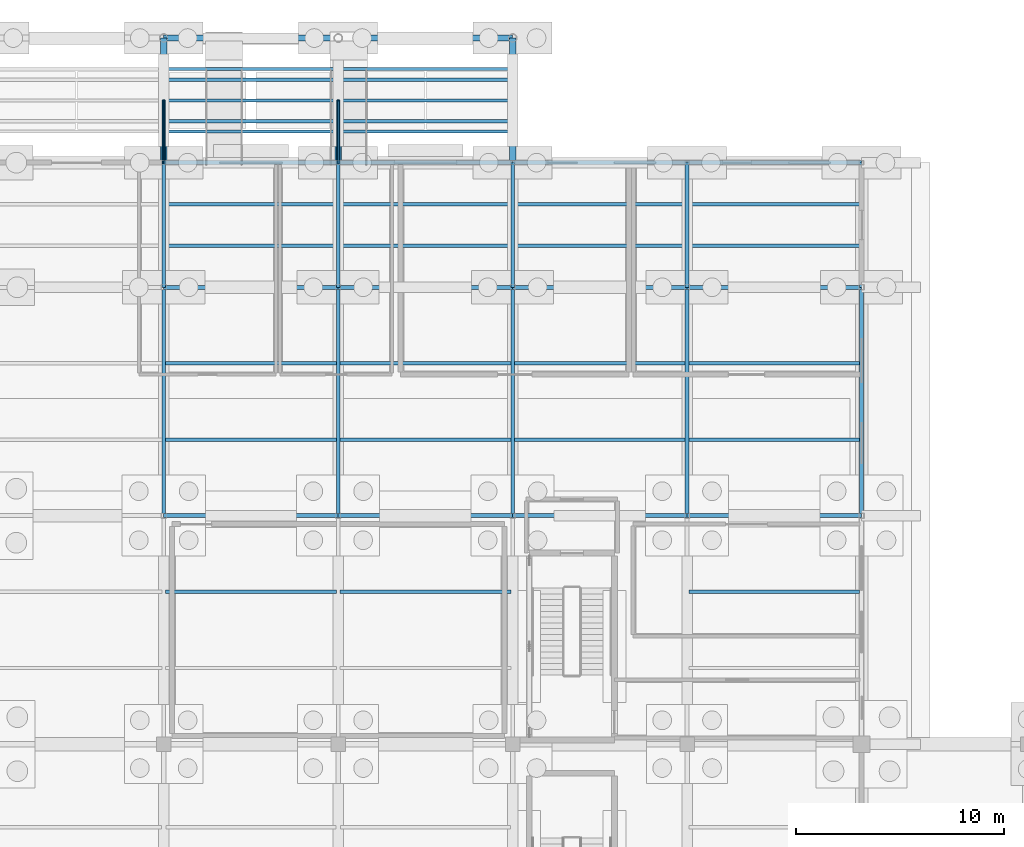
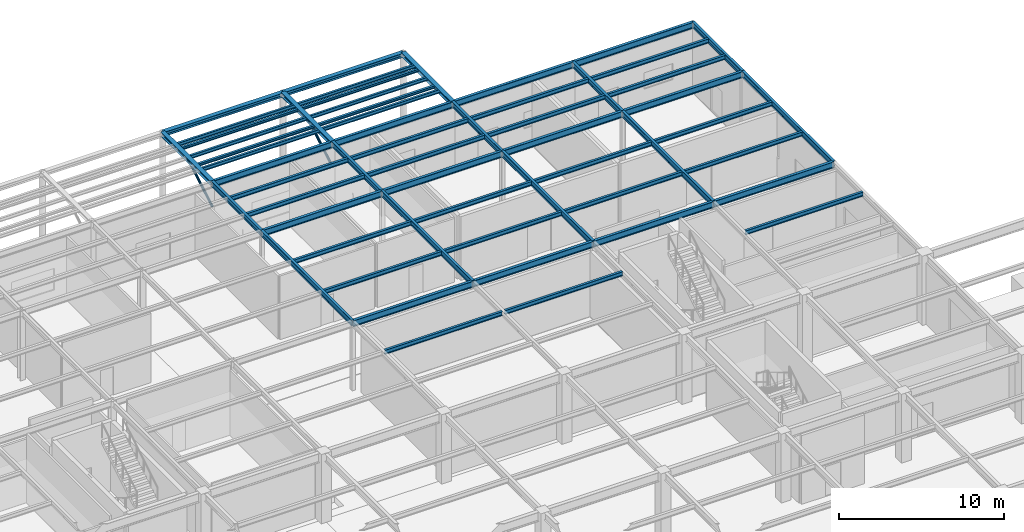
# One storey, part 70 of 129: 50 beams, 8 members.
"""IFC4 building model written with IfcOpenShell, lengths in metres."""

from ifc_helpers import new_model, si_unit, direction, frame, origin, origin_2d, place, context, subcontext, project, spatial, hollow_circle, i_section, extrude, material, material_profile, profile_set, type_object, element, save


model = new_model("IFC4")

# Units and contexts
model_context = context("Model", 3, precision=1e-05, world=origin(), true_north=direction((0.0, 1.0)))
body_context = subcontext(model_context, "Body", "Model", "MODEL_VIEW")
ifc_project = project(units=[si_unit("LENGTHUNIT", "METRE"), si_unit("AREAUNIT", "SQUARE_METRE"), si_unit("VOLUMEUNIT", "CUBIC_METRE"), si_unit("PLANEANGLEUNIT", "RADIAN"), si_unit("MASSUNIT", "GRAM", prefix="KILO")], contexts=[model_context])

# Site, building, storey
site_placement = place(None, origin())
site = spatial("IfcSite", under=ifc_project, at=site_placement, CompositionType="ELEMENT")
building_placement = place(site_placement, origin())
building = spatial("IfcBuilding", under=site, at=building_placement, Name="Sitalva Quay Ferry Terminal", CompositionType="ELEMENT")
storey_placement = place(building_placement, origin())
storey = spatial("IfcBuildingStorey", under=building, at=storey_placement, Name="L01", CompositionType="ELEMENT", Elevation=0.0)

# Beams
ifc_material_1 = material(Name="Structural Steel S355JR", Category="steel")
ifc_material_profile_1 = material_profile(ifc_material_1, i_section(OverallWidth=0.305908203125, OverallDepth=0.31103515625, WebThickness=0.010986328125, FlangeThickness=0.01708984375, FilletRadius=0.014892578125, at=origin_2d()), Name="W310x107")
ifc_profile_set_1 = profile_set([ifc_material_profile_1], Name="Structural Steel S355JR")
beam_type_1 = type_object("IfcBeamType", Name="Beam_W310x107", PredefinedType="BEAM", material=ifc_profile_set_1)
beam_1_placement = place(storey_placement, frame((134.39990234375, 112.0, 4.964599609375), z_axis=(1.0, 0.0, 0.0), x_axis=(0.0, 1.0, 0.0)))
element("IfcBeam", 1, at=beam_1_placement, inside=storey, type_object=beam_type_1, Name="L01 Primary X girder 0681", PredefinedType="BEAM", context=body_context, shape_type="SweptSolid", body=[
    extrude(i_section(OverallWidth=0.305908203125, OverallDepth=0.31103515625, WebThickness=0.010986328125, FlangeThickness=0.01708984375, FilletRadius=0.014892578125, at=origin_2d()), origin(), (0.0, 0.0, 1.0), 8.400146484375),
])
beam_2_placement = place(storey_placement, frame((142.800048828125, 112.0, 4.964599609375), z_axis=(1.0, 0.0, 0.0), x_axis=(0.0, 1.0, 0.0)))
element("IfcBeam", 2, at=beam_2_placement, inside=storey, type_object=beam_type_1, Name="L01 Primary X girder 0682", PredefinedType="BEAM", context=body_context, shape_type="SweptSolid", body=[
    extrude(i_section(OverallWidth=0.305908203125, OverallDepth=0.31103515625, WebThickness=0.010986328125, FlangeThickness=0.01708984375, FilletRadius=0.014892578125, at=origin_2d()), origin(), (0.0, 0.0, 1.0), 8.39990234375),
])
for number, where, z_axis, x_axis, name in (
    (3, (134.39990234375, 106.0, 4.964599609375), (0.0, 1.0, 0.0), (-1.0, 0.0, 0.0), "L01 Primary Y girder 0684"),
    (4, (142.800048828125, 106.0, 4.964599609375), (0.0, 1.0, 0.0), (-1.0, 0.0, 0.0), "L01 Primary Y girder 0685"),
    (5, (151.199951171875, 106.0, 4.964599609375), (0.0, 1.0, 0.0), (-1.0, 0.0, 0.0), "L01 Primary Y girder 0686"),
):
    element("IfcBeam", number, at=place(storey_placement, frame(where, z_axis=z_axis, x_axis=x_axis)), inside=storey, type_object=beam_type_1, Name=name, PredefinedType="BEAM", context=body_context, shape_type="SweptSolid", body=[
        extrude(i_section(OverallWidth=0.305908203125, OverallDepth=0.31103515625, WebThickness=0.010986328125, FlangeThickness=0.01708984375, FilletRadius=0.014892578125, at=origin_2d()), origin(), (0.0, 0.0, 1.0), 6.0),
    ])
ifc_material_2 = material(Name="Structural Steel S355JR", Category="steel")
ifc_material_profile_2 = material_profile(ifc_material_2, i_section(OverallWidth=0.180908203125, OverallDepth=0.4169921875, WebThickness=0.010986328125, FlangeThickness=0.018310546875, FilletRadius=0.012939453125, at=origin_2d()), Name="W410x85")
ifc_profile_set_2 = profile_set([ifc_material_profile_2], Name="Structural Steel S355JR")
beam_type_2 = type_object("IfcBeamType", Name="Beam_W410x85", PredefinedType="BEAM", material=ifc_profile_set_2)
beam_3_placement = place(storey_placement, frame((134.39990234375, 89.0, 4.91162109375), z_axis=(0.0, 1.0, 0.0), x_axis=(-1.0, 0.0, 0.0)))
element("IfcBeam", 6, at=beam_3_placement, inside=storey, type_object=beam_type_2, Name="L01 Primary Y girder 0546", PredefinedType="BEAM", context=body_context, shape_type="SweptSolid", body=[
    extrude(i_section(OverallWidth=0.180908203125, OverallDepth=0.4169921875, WebThickness=0.010986328125, FlangeThickness=0.018310546875, FilletRadius=0.012939453125, at=origin_2d()), origin(), (0.0, 0.0, 1.0), 11.0),
])
beam_4_placement = place(storey_placement, frame((134.39990234375, 100.0, 4.91162109375), z_axis=(0.0, 1.0, 0.0), x_axis=(-1.0, 0.0, 0.0)))
element("IfcBeam", 7, at=beam_4_placement, inside=storey, type_object=beam_type_2, Name="L01 Primary Y girder 0547", PredefinedType="BEAM", context=body_context, shape_type="SweptSolid", body=[
    extrude(i_section(OverallWidth=0.180908203125, OverallDepth=0.4169921875, WebThickness=0.010986328125, FlangeThickness=0.018310546875, FilletRadius=0.012939453125, at=origin_2d()), origin(), (0.0, 0.0, 1.0), 6.0),
])
beam_5_placement = place(storey_placement, frame((142.800048828125, 89.0, 4.91162109375), z_axis=(0.0, 1.0, 0.0), x_axis=(-1.0, 0.0, 0.0)))
element("IfcBeam", 8, at=beam_5_placement, inside=storey, type_object=beam_type_2, Name="L01 Primary Y girder 0549", PredefinedType="BEAM", context=body_context, shape_type="SweptSolid", body=[
    extrude(i_section(OverallWidth=0.180908203125, OverallDepth=0.4169921875, WebThickness=0.010986328125, FlangeThickness=0.018310546875, FilletRadius=0.012939453125, at=origin_2d()), origin(), (0.0, 0.0, 1.0), 11.0),
])
beam_6_placement = place(storey_placement, frame((142.800048828125, 100.0, 4.91162109375), z_axis=(0.0, 1.0, 0.0), x_axis=(-1.0, 0.0, 0.0)))
element("IfcBeam", 9, at=beam_6_placement, inside=storey, type_object=beam_type_2, Name="L01 Primary Y girder 0550", PredefinedType="BEAM", context=body_context, shape_type="SweptSolid", body=[
    extrude(i_section(OverallWidth=0.180908203125, OverallDepth=0.4169921875, WebThickness=0.010986328125, FlangeThickness=0.018310546875, FilletRadius=0.012939453125, at=origin_2d()), origin(), (0.0, 0.0, 1.0), 6.0),
])
beam_7_placement = place(storey_placement, frame((151.199951171875, 89.0, 4.91162109375), z_axis=(0.0, 1.0, 0.0), x_axis=(-1.0, 0.0, 0.0)))
element("IfcBeam", 10, at=beam_7_placement, inside=storey, type_object=beam_type_2, Name="L01 Primary Y girder 0552", PredefinedType="BEAM", context=body_context, shape_type="SweptSolid", body=[
    extrude(i_section(OverallWidth=0.180908203125, OverallDepth=0.4169921875, WebThickness=0.010986328125, FlangeThickness=0.018310546875, FilletRadius=0.012939453125, at=origin_2d()), origin(), (0.0, 0.0, 1.0), 11.0),
])
beam_8_placement = place(storey_placement, frame((151.199951171875, 100.0, 4.91162109375), z_axis=(0.0, 1.0, 0.0), x_axis=(-1.0, 0.0, 0.0)))
element("IfcBeam", 11, at=beam_8_placement, inside=storey, type_object=beam_type_2, Name="L01 Primary Y girder 0553", PredefinedType="BEAM", context=body_context, shape_type="SweptSolid", body=[
    extrude(i_section(OverallWidth=0.180908203125, OverallDepth=0.4169921875, WebThickness=0.010986328125, FlangeThickness=0.018310546875, FilletRadius=0.012939453125, at=origin_2d()), origin(), (0.0, 0.0, 1.0), 6.0),
])
beam_9_placement = place(storey_placement, frame((159.60009765625, 89.0, 4.91162109375), z_axis=(0.0, 1.0, 0.0), x_axis=(-1.0, 0.0, 0.0)))
element("IfcBeam", 12, at=beam_9_placement, inside=storey, type_object=beam_type_2, Name="L01 Primary Y girder 0555", PredefinedType="BEAM", context=body_context, shape_type="SweptSolid", body=[
    extrude(i_section(OverallWidth=0.180908203125, OverallDepth=0.4169921875, WebThickness=0.010986328125, FlangeThickness=0.018310546875, FilletRadius=0.012939453125, at=origin_2d()), origin(), (0.0, 0.0, 1.0), 11.0),
])
beam_10_placement = place(storey_placement, frame((159.60009765625, 100.0, 4.91162109375), z_axis=(0.0, 1.0, 0.0), x_axis=(-1.0, 0.0, 0.0)))
element("IfcBeam", 13, at=beam_10_placement, inside=storey, type_object=beam_type_2, Name="L01 Primary Y girder 0556", PredefinedType="BEAM", context=body_context, shape_type="SweptSolid", body=[
    extrude(i_section(OverallWidth=0.180908203125, OverallDepth=0.4169921875, WebThickness=0.010986328125, FlangeThickness=0.018310546875, FilletRadius=0.012939453125, at=origin_2d()), origin(), (0.0, 0.0, 1.0), 6.0),
])
beam_11_placement = place(storey_placement, frame((168.0, 89.0, 4.91162109375), z_axis=(0.0, 1.0, 0.0), x_axis=(-1.0, 0.0, 0.0)))
element("IfcBeam", 14, at=beam_11_placement, inside=storey, type_object=beam_type_2, Name="L01 Primary Y girder 0558", PredefinedType="BEAM", context=body_context, shape_type="SweptSolid", body=[
    extrude(i_section(OverallWidth=0.180908203125, OverallDepth=0.4169921875, WebThickness=0.010986328125, FlangeThickness=0.018310546875, FilletRadius=0.012939453125, at=origin_2d()), origin(), (0.0, 0.0, 1.0), 11.0),
])
beam_12_placement = place(storey_placement, frame((168.0, 100.0, 4.91162109375), z_axis=(0.0, 1.0, 0.0), x_axis=(-1.0, 0.0, 0.0)))
element("IfcBeam", 15, at=beam_12_placement, inside=storey, type_object=beam_type_2, Name="L01 Primary Y girder 0559", PredefinedType="BEAM", context=body_context, shape_type="SweptSolid", body=[
    extrude(i_section(OverallWidth=0.180908203125, OverallDepth=0.4169921875, WebThickness=0.010986328125, FlangeThickness=0.018310546875, FilletRadius=0.012939453125, at=origin_2d()), origin(), (0.0, 0.0, 1.0), 6.0),
])
ifc_material_3 = material(Name="Structural Steel S355JR", Category="steel")
ifc_material_profile_3 = material_profile(ifc_material_3, i_section(OverallWidth=0.19091796875, OverallDepth=0.4599609375, WebThickness=0.010009765625, FlangeThickness=0.01611328125, FilletRadius=0.013916015625, at=origin_2d()), Name="W460x82")
ifc_profile_set_3 = profile_set([ifc_material_profile_3], Name="Structural Steel S355JR")
beam_type_3 = type_object("IfcBeamType", Name="Beam_W460x82", PredefinedType="BEAM", material=ifc_profile_set_3)
beam_13_placement = place(storey_placement, frame((134.39990234375, 89.0, 4.889892578125), z_axis=(1.0, 0.0, 0.0), x_axis=(0.0, 1.0, 0.0)))
element("IfcBeam", 16, at=beam_13_placement, inside=storey, type_object=beam_type_3, Name="L01 Primary X girder 0498", PredefinedType="BEAM", context=body_context, shape_type="SweptSolid", body=[
    extrude(i_section(OverallWidth=0.19091796875, OverallDepth=0.4599609375, WebThickness=0.010009765625, FlangeThickness=0.01611328125, FilletRadius=0.013916015625, at=origin_2d()), origin(), (0.0, 0.0, 1.0), 8.400146484375),
])
beam_14_placement = place(storey_placement, frame((142.800048828125, 89.0, 4.889892578125), z_axis=(1.0, 0.0, 0.0), x_axis=(0.0, 1.0, 0.0)))
element("IfcBeam", 17, at=beam_14_placement, inside=storey, type_object=beam_type_3, Name="L01 Primary X girder 0499", PredefinedType="BEAM", context=body_context, shape_type="SweptSolid", body=[
    extrude(i_section(OverallWidth=0.19091796875, OverallDepth=0.4599609375, WebThickness=0.010009765625, FlangeThickness=0.01611328125, FilletRadius=0.013916015625, at=origin_2d()), origin(), (0.0, 0.0, 1.0), 8.39990234375),
])
beam_15_placement = place(storey_placement, frame((151.199951171875, 89.0, 4.889892578125), z_axis=(1.0, 0.0, 0.0), x_axis=(0.0, 1.0, 0.0)))
element("IfcBeam", 18, at=beam_15_placement, inside=storey, type_object=beam_type_3, Name="L01 Primary X girder 0500", PredefinedType="BEAM", context=body_context, shape_type="SweptSolid", body=[
    extrude(i_section(OverallWidth=0.19091796875, OverallDepth=0.4599609375, WebThickness=0.010009765625, FlangeThickness=0.01611328125, FilletRadius=0.013916015625, at=origin_2d()), origin(), (0.0, 0.0, 1.0), 8.400146484375),
])
beam_16_placement = place(storey_placement, frame((159.60009765625, 89.0, 4.889892578125), z_axis=(1.0, 0.0, 0.0), x_axis=(0.0, 1.0, 0.0)))
element("IfcBeam", 19, at=beam_16_placement, inside=storey, type_object=beam_type_3, Name="L01 Primary X girder 0501", PredefinedType="BEAM", context=body_context, shape_type="SweptSolid", body=[
    extrude(i_section(OverallWidth=0.19091796875, OverallDepth=0.4599609375, WebThickness=0.010009765625, FlangeThickness=0.01611328125, FilletRadius=0.013916015625, at=origin_2d()), origin(), (0.0, 0.0, 1.0), 8.39990234375),
])
beam_17_placement = place(storey_placement, frame((134.39990234375, 100.0, 4.889892578125), z_axis=(1.0, 0.0, 0.0), x_axis=(0.0, 1.0, 0.0)))
element("IfcBeam", 20, at=beam_17_placement, inside=storey, type_object=beam_type_3, Name="L01 Primary X girder 0509", PredefinedType="BEAM", context=body_context, shape_type="SweptSolid", body=[
    extrude(i_section(OverallWidth=0.19091796875, OverallDepth=0.4599609375, WebThickness=0.010009765625, FlangeThickness=0.01611328125, FilletRadius=0.013916015625, at=origin_2d()), origin(), (0.0, 0.0, 1.0), 8.400146484375),
])
beam_18_placement = place(storey_placement, frame((142.800048828125, 100.0, 4.889892578125), z_axis=(1.0, 0.0, 0.0), x_axis=(0.0, 1.0, 0.0)))
element("IfcBeam", 21, at=beam_18_placement, inside=storey, type_object=beam_type_3, Name="L01 Primary X girder 0510", PredefinedType="BEAM", context=body_context, shape_type="SweptSolid", body=[
    extrude(i_section(OverallWidth=0.19091796875, OverallDepth=0.4599609375, WebThickness=0.010009765625, FlangeThickness=0.01611328125, FilletRadius=0.013916015625, at=origin_2d()), origin(), (0.0, 0.0, 1.0), 8.39990234375),
])
beam_19_placement = place(storey_placement, frame((151.199951171875, 100.0, 4.889892578125), z_axis=(1.0, 0.0, 0.0), x_axis=(0.0, 1.0, 0.0)))
element("IfcBeam", 22, at=beam_19_placement, inside=storey, type_object=beam_type_3, Name="L01 Primary X girder 0511", PredefinedType="BEAM", context=body_context, shape_type="SweptSolid", body=[
    extrude(i_section(OverallWidth=0.19091796875, OverallDepth=0.4599609375, WebThickness=0.010009765625, FlangeThickness=0.01611328125, FilletRadius=0.013916015625, at=origin_2d()), origin(), (0.0, 0.0, 1.0), 8.400146484375),
])
beam_20_placement = place(storey_placement, frame((159.60009765625, 100.0, 4.889892578125), z_axis=(1.0, 0.0, 0.0), x_axis=(0.0, 1.0, 0.0)))
element("IfcBeam", 23, at=beam_20_placement, inside=storey, type_object=beam_type_3, Name="L01 Primary X girder 0512", PredefinedType="BEAM", context=body_context, shape_type="SweptSolid", body=[
    extrude(i_section(OverallWidth=0.19091796875, OverallDepth=0.4599609375, WebThickness=0.010009765625, FlangeThickness=0.01611328125, FilletRadius=0.013916015625, at=origin_2d()), origin(), (0.0, 0.0, 1.0), 8.39990234375),
])
beam_21_placement = place(storey_placement, frame((134.39990234375, 106.0, 4.889892578125), z_axis=(1.0, 0.0, 0.0), x_axis=(0.0, 1.0, 0.0)))
element("IfcBeam", 24, at=beam_21_placement, inside=storey, type_object=beam_type_3, Name="L01 Primary X girder 0520", PredefinedType="BEAM", context=body_context, shape_type="SweptSolid", body=[
    extrude(i_section(OverallWidth=0.19091796875, OverallDepth=0.4599609375, WebThickness=0.010009765625, FlangeThickness=0.01611328125, FilletRadius=0.013916015625, at=origin_2d()), origin(), (0.0, 0.0, 1.0), 8.400146484375),
])
beam_22_placement = place(storey_placement, frame((142.800048828125, 106.0, 4.889892578125), z_axis=(1.0, 0.0, 0.0), x_axis=(0.0, 1.0, 0.0)))
element("IfcBeam", 25, at=beam_22_placement, inside=storey, type_object=beam_type_3, Name="L01 Primary X girder 0521", PredefinedType="BEAM", context=body_context, shape_type="SweptSolid", body=[
    extrude(i_section(OverallWidth=0.19091796875, OverallDepth=0.4599609375, WebThickness=0.010009765625, FlangeThickness=0.01611328125, FilletRadius=0.013916015625, at=origin_2d()), origin(), (0.0, 0.0, 1.0), 8.39990234375),
])
beam_23_placement = place(storey_placement, frame((151.199951171875, 106.0, 4.889892578125), z_axis=(1.0, 0.0, 0.0), x_axis=(0.0, 1.0, 0.0)))
element("IfcBeam", 26, at=beam_23_placement, inside=storey, type_object=beam_type_3, Name="L01 Primary X girder 0522", PredefinedType="BEAM", context=body_context, shape_type="SweptSolid", body=[
    extrude(i_section(OverallWidth=0.19091796875, OverallDepth=0.4599609375, WebThickness=0.010009765625, FlangeThickness=0.01611328125, FilletRadius=0.013916015625, at=origin_2d()), origin(), (0.0, 0.0, 1.0), 8.400146484375),
])
beam_24_placement = place(storey_placement, frame((159.60009765625, 106.0, 4.889892578125), z_axis=(1.0, 0.0, 0.0), x_axis=(0.0, 1.0, 0.0)))
element("IfcBeam", 27, at=beam_24_placement, inside=storey, type_object=beam_type_3, Name="L01 Primary X girder 0523", PredefinedType="BEAM", context=body_context, shape_type="SweptSolid", body=[
    extrude(i_section(OverallWidth=0.19091796875, OverallDepth=0.4599609375, WebThickness=0.010009765625, FlangeThickness=0.01611328125, FilletRadius=0.013916015625, at=origin_2d()), origin(), (0.0, 0.0, 1.0), 8.39990234375),
])
ifc_material_4 = material(Name="Structural Steel S355JR", Category="steel")
ifc_material_profile_4 = material_profile(ifc_material_4, i_section(OverallWidth=0.1650390625, OverallDepth=0.200927734375, WebThickness=0.006103515625, FlangeThickness=0.01025390625, FilletRadius=0.010009765625, at=origin_2d()), Name="W200x36")
ifc_profile_set_4 = profile_set([ifc_material_profile_4], Name="Structural Steel S355JR")
beam_type_4 = type_object("IfcBeamType", Name="Joist_W200x36", PredefinedType="JOIST", material=ifc_profile_set_4)
beam_25_placement = place(storey_placement, frame((134.5, 108.0, 5.01953125), z_axis=(1.0, 0.0, 0.0), x_axis=(0.0, 1.0, 0.0)))
element("IfcBeam", 28, at=beam_25_placement, inside=storey, type_object=beam_type_4, Name="L01 Secondary joist 0689", PredefinedType="JOIST", context=body_context, shape_type="SweptSolid", body=[
    extrude(i_section(OverallWidth=0.1650390625, OverallDepth=0.200927734375, WebThickness=0.006103515625, FlangeThickness=0.01025390625, FilletRadius=0.010009765625, at=origin_2d()), origin(), (0.0, 0.0, 1.0), 8.199951171875),
])
beam_26_placement = place(storey_placement, frame((142.89990234375, 108.0, 5.01953125), z_axis=(1.0, 0.0, 0.0), x_axis=(0.0, 1.0, 0.0)))
element("IfcBeam", 29, at=beam_26_placement, inside=storey, type_object=beam_type_4, Name="L01 Secondary joist 0690", PredefinedType="JOIST", context=body_context, shape_type="SweptSolid", body=[
    extrude(i_section(OverallWidth=0.1650390625, OverallDepth=0.200927734375, WebThickness=0.006103515625, FlangeThickness=0.01025390625, FilletRadius=0.010009765625, at=origin_2d()), origin(), (0.0, 0.0, 1.0), 8.2001953125),
])
beam_27_placement = place(storey_placement, frame((134.5, 110.0, 5.01953125), z_axis=(1.0, 0.0, 0.0), x_axis=(0.0, 1.0, 0.0)))
element("IfcBeam", 30, at=beam_27_placement, inside=storey, type_object=beam_type_4, Name="L01 Secondary joist 0693", PredefinedType="JOIST", context=body_context, shape_type="SweptSolid", body=[
    extrude(i_section(OverallWidth=0.1650390625, OverallDepth=0.200927734375, WebThickness=0.006103515625, FlangeThickness=0.01025390625, FilletRadius=0.010009765625, at=origin_2d()), origin(), (0.0, 0.0, 1.0), 8.199951171875),
])
beam_28_placement = place(storey_placement, frame((142.89990234375, 110.0, 5.01953125), z_axis=(1.0, 0.0, 0.0), x_axis=(0.0, 1.0, 0.0)))
element("IfcBeam", 31, at=beam_28_placement, inside=storey, type_object=beam_type_4, Name="L01 Secondary joist 0694", PredefinedType="JOIST", context=body_context, shape_type="SweptSolid", body=[
    extrude(i_section(OverallWidth=0.1650390625, OverallDepth=0.200927734375, WebThickness=0.006103515625, FlangeThickness=0.01025390625, FilletRadius=0.010009765625, at=origin_2d()), origin(), (0.0, 0.0, 1.0), 8.2001953125),
])
ifc_material_5 = material(Name="Structural Steel S355JR", Category="steel")
ifc_material_profile_5 = material_profile(ifc_material_5, i_section(OverallWidth=0.166015625, OverallDepth=0.31298828125, WebThickness=0.006591796875, FlangeThickness=0.01123046875, FilletRadius=0.010986328125, at=origin_2d()), Name="W310x45")
ifc_profile_set_5 = profile_set([ifc_material_profile_5], Name="Structural Steel S355JR")
beam_type_5 = type_object("IfcBeamType", Name="Joist_W310x45", PredefinedType="JOIST", material=ifc_profile_set_5)
beam_29_placement = place(storey_placement, frame((134.490478515625, 85.333251953125, 4.96337890625), z_axis=(1.0, 0.0, 0.0), x_axis=(0.0, 1.0, 0.0)))
element("IfcBeam", 32, at=beam_29_placement, inside=storey, type_object=beam_type_5, Name="L01 Secondary joist 0571", PredefinedType="JOIST", context=body_context, shape_type="SweptSolid", body=[
    extrude(i_section(OverallWidth=0.166015625, OverallDepth=0.31298828125, WebThickness=0.006591796875, FlangeThickness=0.01123046875, FilletRadius=0.010986328125, at=origin_2d()), origin(), (0.0, 0.0, 1.0), 8.218994140625),
])
beam_30_placement = place(storey_placement, frame((142.890380859375, 85.333251953125, 4.96337890625), z_axis=(1.0, 0.0, 0.0), x_axis=(0.0, 1.0, 0.0)))
element("IfcBeam", 33, at=beam_30_placement, inside=storey, type_object=beam_type_5, Name="L01 Secondary joist 0572", PredefinedType="JOIST", context=body_context, shape_type="SweptSolid", body=[
    extrude(i_section(OverallWidth=0.166015625, OverallDepth=0.31298828125, WebThickness=0.006591796875, FlangeThickness=0.01123046875, FilletRadius=0.010986328125, at=origin_2d()), origin(), (0.0, 0.0, 1.0), 8.21923828125),
])
for number, where, z_axis, x_axis, name in (
    (34, (159.6904296875, 85.333251953125, 4.96337890625), (1.0, 0.0, 0.0), (0.0, 1.0, 0.0), "L01 Secondary joist 0573"),
    (35, (134.490478515625, 92.666748046875, 4.96337890625), (1.0, 0.0, 0.0), (0.0, 1.0, 0.0), "L01 Secondary joist 0581"),
):
    element("IfcBeam", number, at=place(storey_placement, frame(where, z_axis=z_axis, x_axis=x_axis)), inside=storey, type_object=beam_type_5, Name=name, PredefinedType="JOIST", context=body_context, shape_type="SweptSolid", body=[
        extrude(i_section(OverallWidth=0.166015625, OverallDepth=0.31298828125, WebThickness=0.006591796875, FlangeThickness=0.01123046875, FilletRadius=0.010986328125, at=origin_2d()), origin(), (0.0, 0.0, 1.0), 8.218994140625),
    ])
beam_31_placement = place(storey_placement, frame((142.890380859375, 92.666748046875, 4.96337890625), z_axis=(1.0, 0.0, 0.0), x_axis=(0.0, 1.0, 0.0)))
element("IfcBeam", 36, at=beam_31_placement, inside=storey, type_object=beam_type_5, Name="L01 Secondary joist 0582", PredefinedType="JOIST", context=body_context, shape_type="SweptSolid", body=[
    extrude(i_section(OverallWidth=0.166015625, OverallDepth=0.31298828125, WebThickness=0.006591796875, FlangeThickness=0.01123046875, FilletRadius=0.010986328125, at=origin_2d()), origin(), (0.0, 0.0, 1.0), 8.21923828125),
])
for number, where, z_axis, x_axis, name in (
    (37, (151.29052734375, 92.666748046875, 4.96337890625), (1.0, 0.0, 0.0), (0.0, 1.0, 0.0), "L01 Secondary joist 0583"),
    (38, (159.6904296875, 92.666748046875, 4.96337890625), (1.0, 0.0, 0.0), (0.0, 1.0, 0.0), "L01 Secondary joist 0584"),
    (39, (134.490478515625, 96.333251953125, 4.96337890625), (1.0, 0.0, 0.0), (0.0, 1.0, 0.0), "L01 Secondary joist 0592"),
):
    element("IfcBeam", number, at=place(storey_placement, frame(where, z_axis=z_axis, x_axis=x_axis)), inside=storey, type_object=beam_type_5, Name=name, PredefinedType="JOIST", context=body_context, shape_type="SweptSolid", body=[
        extrude(i_section(OverallWidth=0.166015625, OverallDepth=0.31298828125, WebThickness=0.006591796875, FlangeThickness=0.01123046875, FilletRadius=0.010986328125, at=origin_2d()), origin(), (0.0, 0.0, 1.0), 8.218994140625),
    ])
beam_32_placement = place(storey_placement, frame((142.890380859375, 96.333251953125, 4.96337890625), z_axis=(1.0, 0.0, 0.0), x_axis=(0.0, 1.0, 0.0)))
element("IfcBeam", 40, at=beam_32_placement, inside=storey, type_object=beam_type_5, Name="L01 Secondary joist 0593", PredefinedType="JOIST", context=body_context, shape_type="SweptSolid", body=[
    extrude(i_section(OverallWidth=0.166015625, OverallDepth=0.31298828125, WebThickness=0.006591796875, FlangeThickness=0.01123046875, FilletRadius=0.010986328125, at=origin_2d()), origin(), (0.0, 0.0, 1.0), 8.21923828125),
])
for number, where, z_axis, x_axis, name in (
    (41, (151.29052734375, 96.333251953125, 4.96337890625), (1.0, 0.0, 0.0), (0.0, 1.0, 0.0), "L01 Secondary joist 0594"),
    (42, (159.6904296875, 96.333251953125, 4.96337890625), (1.0, 0.0, 0.0), (0.0, 1.0, 0.0), "L01 Secondary joist 0595"),
    (43, (134.490478515625, 102.0, 4.96337890625), (1.0, 0.0, 0.0), (0.0, 1.0, 0.0), "L01 Secondary joist 0603"),
):
    element("IfcBeam", number, at=place(storey_placement, frame(where, z_axis=z_axis, x_axis=x_axis)), inside=storey, type_object=beam_type_5, Name=name, PredefinedType="JOIST", context=body_context, shape_type="SweptSolid", body=[
        extrude(i_section(OverallWidth=0.166015625, OverallDepth=0.31298828125, WebThickness=0.006591796875, FlangeThickness=0.01123046875, FilletRadius=0.010986328125, at=origin_2d()), origin(), (0.0, 0.0, 1.0), 8.218994140625),
    ])
beam_33_placement = place(storey_placement, frame((142.890380859375, 102.0, 4.96337890625), z_axis=(1.0, 0.0, 0.0), x_axis=(0.0, 1.0, 0.0)))
element("IfcBeam", 44, at=beam_33_placement, inside=storey, type_object=beam_type_5, Name="L01 Secondary joist 0604", PredefinedType="JOIST", context=body_context, shape_type="SweptSolid", body=[
    extrude(i_section(OverallWidth=0.166015625, OverallDepth=0.31298828125, WebThickness=0.006591796875, FlangeThickness=0.01123046875, FilletRadius=0.010986328125, at=origin_2d()), origin(), (0.0, 0.0, 1.0), 8.21923828125),
])
for number, where, z_axis, x_axis, name in (
    (45, (151.29052734375, 102.0, 4.96337890625), (1.0, 0.0, 0.0), (0.0, 1.0, 0.0), "L01 Secondary joist 0605"),
    (46, (159.6904296875, 102.0, 4.96337890625), (1.0, 0.0, 0.0), (0.0, 1.0, 0.0), "L01 Secondary joist 0606"),
    (47, (134.490478515625, 104.0, 4.96337890625), (1.0, 0.0, 0.0), (0.0, 1.0, 0.0), "L01 Secondary joist 0614"),
):
    element("IfcBeam", number, at=place(storey_placement, frame(where, z_axis=z_axis, x_axis=x_axis)), inside=storey, type_object=beam_type_5, Name=name, PredefinedType="JOIST", context=body_context, shape_type="SweptSolid", body=[
        extrude(i_section(OverallWidth=0.166015625, OverallDepth=0.31298828125, WebThickness=0.006591796875, FlangeThickness=0.01123046875, FilletRadius=0.010986328125, at=origin_2d()), origin(), (0.0, 0.0, 1.0), 8.218994140625),
    ])
beam_34_placement = place(storey_placement, frame((142.890380859375, 104.0, 4.96337890625), z_axis=(1.0, 0.0, 0.0), x_axis=(0.0, 1.0, 0.0)))
element("IfcBeam", 48, at=beam_34_placement, inside=storey, type_object=beam_type_5, Name="L01 Secondary joist 0615", PredefinedType="JOIST", context=body_context, shape_type="SweptSolid", body=[
    extrude(i_section(OverallWidth=0.166015625, OverallDepth=0.31298828125, WebThickness=0.006591796875, FlangeThickness=0.01123046875, FilletRadius=0.010986328125, at=origin_2d()), origin(), (0.0, 0.0, 1.0), 8.21923828125),
])
for number, where, z_axis, x_axis, name in (
    (49, (151.29052734375, 104.0, 4.96337890625), (1.0, 0.0, 0.0), (0.0, 1.0, 0.0), "L01 Secondary joist 0616"),
    (50, (159.6904296875, 104.0, 4.96337890625), (1.0, 0.0, 0.0), (0.0, 1.0, 0.0), "L01 Secondary joist 0617"),
):
    element("IfcBeam", number, at=place(storey_placement, frame(where, z_axis=z_axis, x_axis=x_axis)), inside=storey, type_object=beam_type_5, Name=name, PredefinedType="JOIST", context=body_context, shape_type="SweptSolid", body=[
        extrude(i_section(OverallWidth=0.166015625, OverallDepth=0.31298828125, WebThickness=0.006591796875, FlangeThickness=0.01123046875, FilletRadius=0.010986328125, at=origin_2d()), origin(), (0.0, 0.0, 1.0), 8.218994140625),
    ])

# Members
ifc_material_6 = material(Name="Structural Steel S355JR", Category="steel")
ifc_material_profile_6 = material_profile(ifc_material_6, i_section(OverallWidth=0.14697265625, OverallDepth=0.261962890625, WebThickness=0.006591796875, FlangeThickness=0.01123046875, FilletRadius=0.010009765625, at=origin_2d()), Name="W250x39")
ifc_profile_set_6 = profile_set([ifc_material_profile_6], Name="Structural Steel S355JR")
member_type_1 = type_object("IfcMemberType", Name="Purlin_W250x39", PredefinedType="PURLIN", material=ifc_profile_set_6)
for number, where, z_axis, x_axis, name in (
    (51, (134.39990234375, 107.5, 4.989013671875), (1.0, 0.0, 0.0), (0.0, 1.0, 0.0), "Entrance canopy E purlin"),
    (52, (134.39990234375, 109.0, 4.989013671875), (1.0, 0.0, 0.0), (0.0, 1.0, 0.0), "Entrance canopy E purlin"),
    (53, (134.39990234375, 110.5, 4.989013671875), (1.0, 0.0, 0.0), (0.0, 1.0, 0.0), "Entrance canopy E purlin"),
):
    element("IfcMember", number, at=place(storey_placement, frame(where, z_axis=z_axis, x_axis=x_axis)), inside=storey, type_object=member_type_1, Name=name, PredefinedType="PURLIN", context=body_context, shape_type="SweptSolid", body=[
        extrude(i_section(OverallWidth=0.14697265625, OverallDepth=0.261962890625, WebThickness=0.006591796875, FlangeThickness=0.01123046875, FilletRadius=0.010009765625, at=origin_2d()), origin(), (0.0, 0.0, 1.0), 8.400146484375),
    ])
for number, where, z_axis, x_axis, name in (
    (54, (142.800048828125, 107.5, 4.989013671875), (1.0, 0.0, 0.0), (0.0, 1.0, 0.0), "Entrance canopy E purlin"),
    (55, (142.800048828125, 109.0, 4.989013671875), (1.0, 0.0, 0.0), (0.0, 1.0, 0.0), "Entrance canopy E purlin"),
    (56, (142.800048828125, 110.5, 4.989013671875), (1.0, 0.0, 0.0), (0.0, 1.0, 0.0), "Entrance canopy E purlin"),
):
    element("IfcMember", number, at=place(storey_placement, frame(where, z_axis=z_axis, x_axis=x_axis)), inside=storey, type_object=member_type_1, Name=name, PredefinedType="PURLIN", context=body_context, shape_type="SweptSolid", body=[
        extrude(i_section(OverallWidth=0.14697265625, OverallDepth=0.261962890625, WebThickness=0.006591796875, FlangeThickness=0.01123046875, FilletRadius=0.010009765625, at=origin_2d()), origin(), (0.0, 0.0, 1.0), 8.39990234375),
    ])
ifc_material_7 = material(Name="Structural Steel S355JR", Category="steel")
ifc_material_profile_7 = material_profile(ifc_material_7, hollow_circle(Radius=0.084228515625, WallThickness=0.008056640625, at=origin_2d()), Name="CHS168x8")
ifc_profile_set_7 = profile_set([ifc_material_profile_7], Name="Structural Steel S355JR")
member_type_2 = type_object("IfcMemberType", Name="Strut_CHS168x8", PredefinedType="STRUT", material=ifc_profile_set_7)
for number, where, z_axis, x_axis, name in (
    (57, (134.39990234375, 106.0, 3.199951171875), (0.0, 0.863778900898, 0.503871025524), (-1.0, 0.0, 0.0), "Entrance canopy E raking strut"),
    (58, (142.800048828125, 106.0, 3.199951171875), (0.0, 0.863778900898, 0.503871025524), (-1.0, 0.0, 0.0), "Entrance canopy E raking strut"),
):
    element("IfcMember", number, at=place(storey_placement, frame(where, z_axis=z_axis, x_axis=x_axis)), inside=storey, type_object=member_type_2, Name=name, PredefinedType="STRUT", context=body_context, shape_type="SweptSolid", body=[
        extrude(hollow_circle(Radius=0.084228515625, WallThickness=0.008056640625, at=origin_2d()), origin(), (0.0, 0.0, 1.0), 3.47314453125),
    ])

save(model, "model.ifc")
